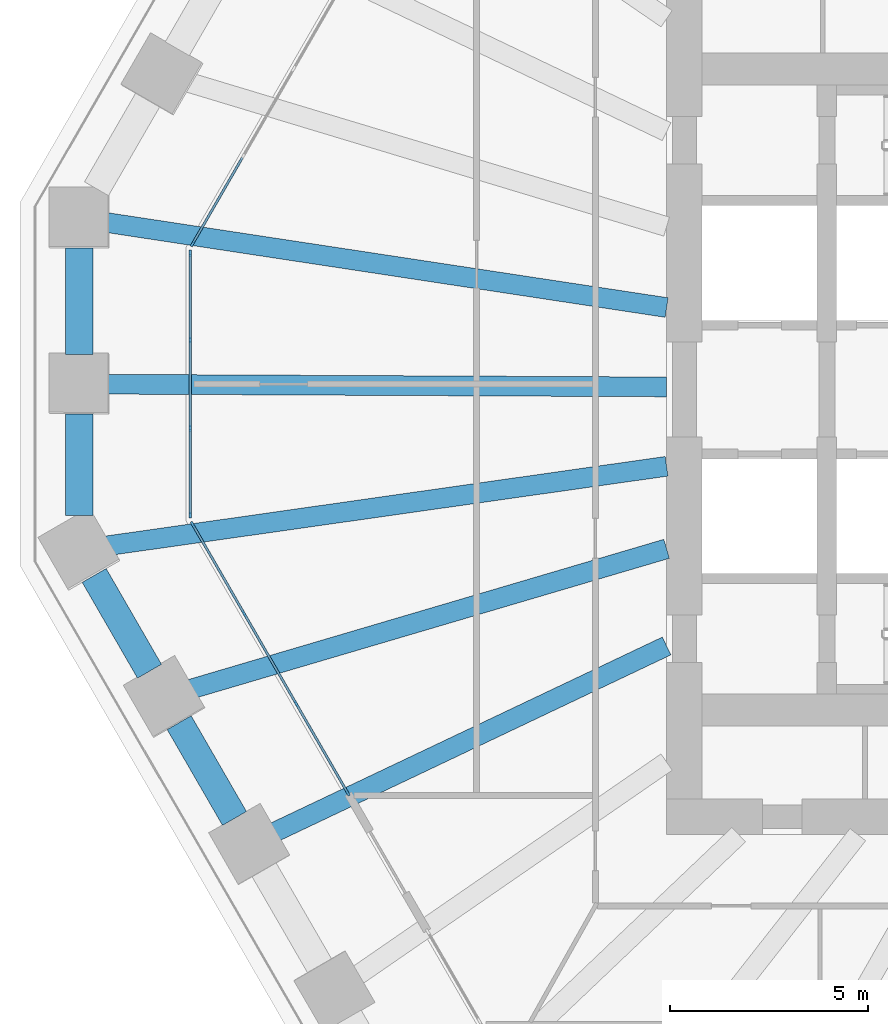
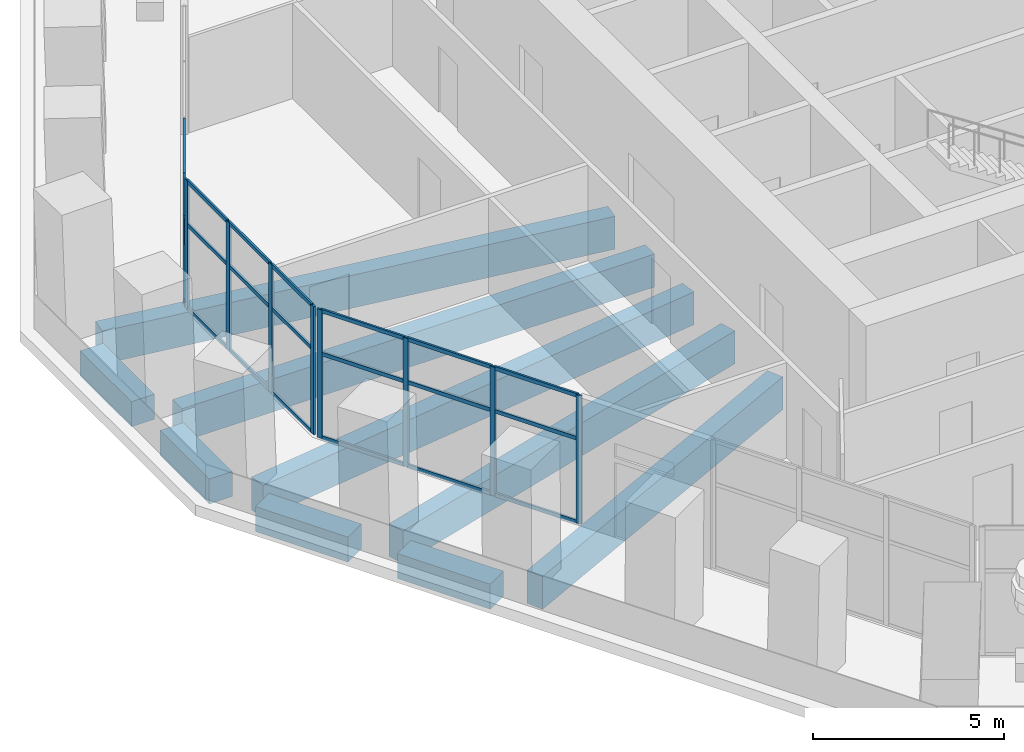
# One storey, part 3 of 18: 30 members, 9 beams, 3 elements without a shape of their own.
"""IFC4 building model written with IfcOpenShell, lengths in metres."""

from ifc_helpers import new_model, si_unit, direction, frame, origin, origin_2d, place, context, subcontext, project, spatial, rectangle, extrude, material, material_profile, profile_set, type_object, element, aggregate, save


model = new_model("IFC4")

# Units and contexts
model_context = context("Model", 3, precision=1e-05, world=origin(), true_north=direction((0.0, 1.0)))
body_context = subcontext(model_context, "Body", "Model", "MODEL_VIEW")
ifc_project = project(units=[si_unit("LENGTHUNIT", "METRE"), si_unit("AREAUNIT", "SQUARE_METRE"), si_unit("VOLUMEUNIT", "CUBIC_METRE"), si_unit("PLANEANGLEUNIT", "RADIAN"), si_unit("MASSUNIT", "GRAM", prefix="KILO")], contexts=[model_context])

# Site, building, storey
site_placement = place(None, origin())
site = spatial("IfcSite", under=ifc_project, at=site_placement, CompositionType="ELEMENT")
building_placement = place(site_placement, origin())
building = spatial("IfcBuilding", under=site, at=building_placement, Name="Frailejon Research Tower", CompositionType="ELEMENT")
storey_placement = place(building_placement, frame((0.0, 0.0, 19.0)))
storey = spatial("IfcBuildingStorey", under=building, at=storey_placement, Name="L04", CompositionType="ELEMENT", Elevation=19.0)

# Curtain wall, member
ifc_material_1 = material(Name="Aluminium curtain wall", Category="aluminium")
curtain_wall_type = type_object("IfcCurtainWallType", Name="Base zone unitised curtain wall system", PredefinedType="NOTDEFINED", material=ifc_material_1)
curtain_wall_1_placement = place(storey_placement, origin())
curtain_wall_1 = element("IfcCurtainWall", 1, at=curtain_wall_1_placement, inside=storey, type_object=curtain_wall_type, Name="Curtain wall L04", PredefinedType="NOTDEFINED")
ifc_material_2 = material(Name="Aluminium extrusion", Category="aluminium")
ifc_material_profile_1 = material_profile(ifc_material_2, rectangle(XDim=0.06005859375, YDim=0.159912109375, at=origin_2d()), Name="Base zone unitised curtain wall mullion 60x160")
ifc_profile_set_1 = profile_set([ifc_material_profile_1], Name="Aluminium extrusion")
member_type_1 = type_object("IfcMemberType", Name="Base zone unitised curtain wall mullion 60x160", PredefinedType="MULLION", material=ifc_profile_set_1)
member_1_placement = place(storey_placement, frame((-25.627685546875, 3.688232421875, 0.0), z_axis=(0.0, 0.0, 1.0), x_axis=(0.866024676356, -0.50000125994, 0.0)))
member_1 = element("IfcMember", 2, at=member_1_placement, type_object=member_type_1, Name="CW3-071 mullion 4", PredefinedType="MULLION", context=body_context, shape_type="SweptSolid", body=[
    extrude(rectangle(XDim=0.06005859375, YDim=0.159912109375, at=origin_2d()), origin(), (0.0, 0.0, 1.0), 4.10009765625),
])

# Curtain wall, members
curtain_wall_2_placement = place(storey_placement, origin())
curtain_wall_2 = element("IfcCurtainWall", 3, at=curtain_wall_2_placement, inside=storey, type_object=curtain_wall_type, Name="Curtain wall L04", PredefinedType="NOTDEFINED")
member_2_placement = place(storey_placement, frame((-25.692626953125, 3.445556640625, 0.0), z_axis=(0.0, 0.0, 1.0), x_axis=(1.0, 0.0, 0.0)))
member_2 = element("IfcMember", 4, at=member_2_placement, type_object=member_type_1, Name="CW3-072 mullion 1", PredefinedType="MULLION", context=body_context, shape_type="SweptSolid", body=[
    extrude(rectangle(XDim=0.06005859375, YDim=0.159912109375, at=origin_2d()), origin(), (0.0, 0.0, 1.0), 4.10009765625),
])
member_3_placement = place(storey_placement, frame((-25.692626953125, 1.250732421875, 0.0), z_axis=(0.0, 0.0, 1.0), x_axis=(1.0, 0.0, 0.0)))
member_3 = element("IfcMember", 5, at=member_3_placement, type_object=member_type_1, Name="CW3-072 mullion 2", PredefinedType="MULLION", context=body_context, shape_type="SweptSolid", body=[
    extrude(rectangle(XDim=0.06005859375, YDim=0.159912109375, at=origin_2d()), origin(), (0.0, 0.0, 1.0), 4.10009765625),
])
member_4_placement = place(storey_placement, frame((-25.692626953125, -0.97412109375, 0.0), z_axis=(0.0, 0.0, 1.0), x_axis=(1.0, 0.0, 0.0)))
member_4 = element("IfcMember", 6, at=member_4_placement, type_object=member_type_1, Name="CW3-072 mullion 3", PredefinedType="MULLION", context=body_context, shape_type="SweptSolid", body=[
    extrude(rectangle(XDim=0.06005859375, YDim=0.159912109375, at=origin_2d()), origin(), (0.0, 0.0, 1.0), 4.10009765625),
])
member_5_placement = place(storey_placement, frame((-25.692626953125, -3.1689453125, 0.0), z_axis=(0.0, 0.0, 1.0), x_axis=(1.0, 0.0, 0.0)))
member_5 = element("IfcMember", 7, at=member_5_placement, type_object=member_type_1, Name="CW3-072 mullion 4", PredefinedType="MULLION", context=body_context, shape_type="SweptSolid", body=[
    extrude(rectangle(XDim=0.06005859375, YDim=0.159912109375, at=origin_2d()), origin(), (0.0, 0.0, 1.0), 4.10009765625),
])

curtain_wall_3_placement = place(storey_placement, origin())
curtain_wall_3 = element("IfcCurtainWall", 8, at=curtain_wall_3_placement, inside=storey, type_object=curtain_wall_type, Name="Curtain wall L04", PredefinedType="NOTDEFINED")
member_6_placement = place(storey_placement, frame((-25.627685546875, -3.41162109375, 0.0), z_axis=(0.0, 0.0, 1.0), x_axis=(0.866026896805, 0.499997414004, 0.0)))
member_6 = element("IfcMember", 9, at=member_6_placement, type_object=member_type_1, Name="CW3-073 mullion 1", PredefinedType="MULLION", context=body_context, shape_type="SweptSolid", body=[
    extrude(rectangle(XDim=0.06005859375, YDim=0.159912109375, at=origin_2d()), origin(), (0.0, 0.0, 1.0), 4.10009765625),
])
member_7_placement = place(storey_placement, frame((-24.327392578125, -5.66357421875, 0.0), z_axis=(0.0, 0.0, 1.0), x_axis=(0.866026896805, 0.499997414004, 0.0)))
member_7 = element("IfcMember", 10, at=member_7_placement, type_object=member_type_1, Name="CW3-073 mullion 2", PredefinedType="MULLION", context=body_context, shape_type="SweptSolid", body=[
    extrude(rectangle(XDim=0.06005859375, YDim=0.159912109375, at=origin_2d()), origin(), (0.0, 0.0, 1.0), 4.10009765625),
])
member_8_placement = place(storey_placement, frame((-23.01220703125, -7.941650390625, 0.0), z_axis=(0.0, 0.0, 1.0), x_axis=(0.866026896805, 0.499997414004, 0.0)))
member_8 = element("IfcMember", 11, at=member_8_placement, type_object=member_type_1, Name="CW3-073 mullion 3", PredefinedType="MULLION", context=body_context, shape_type="SweptSolid", body=[
    extrude(rectangle(XDim=0.06005859375, YDim=0.159912109375, at=origin_2d()), origin(), (0.0, 0.0, 1.0), 4.10009765625),
])
member_9_placement = place(storey_placement, frame((-21.7119140625, -10.19384765625, 0.0), z_axis=(0.0, 0.0, 1.0), x_axis=(0.866026896805, 0.499997414004, 0.0)))
member_9 = element("IfcMember", 12, at=member_9_placement, type_object=member_type_1, Name="CW3-073 mullion 4", PredefinedType="MULLION", context=body_context, shape_type="SweptSolid", body=[
    extrude(rectangle(XDim=0.06005859375, YDim=0.159912109375, at=origin_2d()), origin(), (0.0, 0.0, 1.0), 4.10009765625),
])

# Member
ifc_material_3 = material(Name="Aluminium extrusion", Category="aluminium")
ifc_material_profile_2 = material_profile(ifc_material_3, rectangle(XDim=0.06005859375, YDim=0.1201171875, at=origin_2d()), Name="Base zone unitised curtain wall transom 60x120")
ifc_profile_set_2 = profile_set([ifc_material_profile_2], Name="Aluminium extrusion")
member_type_2 = type_object("IfcMemberType", Name="Base zone unitised curtain wall transom 60x120", PredefinedType="USERDEFINED", material=ifc_profile_set_2)
member_10_placement = place(storey_placement, frame((-24.374267578125, 5.85888671875, 0.030029296875), z_axis=(-0.499998364937, -0.866026347786, 0.0), x_axis=(0.866026347786, -0.499998364937, 0.0)))
member_10 = element("IfcMember", 13, at=member_10_placement, type_object=member_type_2, Name="CW3-071 transom 3.1", ObjectType="TRANSOM", PredefinedType="USERDEFINED", context=body_context, shape_type="SweptSolid", body=[
    extrude(rectangle(XDim=0.06005859375, YDim=0.1201171875, at=origin_2d()), origin(), (0.0, 0.0, 1.0), 2.4765625),
])

member_11_placement = place(storey_placement, frame((-24.374267578125, 5.85888671875, 2.699951171875), z_axis=(-0.499998364937, -0.866026347786, 0.0), x_axis=(0.866026347786, -0.499998364937, 0.0)))
member_11 = element("IfcMember", 14, at=member_11_placement, type_object=member_type_2, Name="CW3-071 transom 3.2", ObjectType="TRANSOM", PredefinedType="USERDEFINED", context=body_context, shape_type="SweptSolid", body=[
    extrude(rectangle(XDim=0.06005859375, YDim=0.1201171875, at=origin_2d()), origin(), (0.0, 0.0, 1.0), 2.4765625),
])

member_12_placement = place(storey_placement, frame((-24.374267578125, 5.85888671875, 4.070068359375), z_axis=(-0.499998364937, -0.866026347786, 0.0), x_axis=(0.866026347786, -0.499998364937, 0.0)))
member_12 = element("IfcMember", 15, at=member_12_placement, type_object=member_type_2, Name="CW3-071 transom 3.3", ObjectType="TRANSOM", PredefinedType="USERDEFINED", context=body_context, shape_type="SweptSolid", body=[
    extrude(rectangle(XDim=0.06005859375, YDim=0.1201171875, at=origin_2d()), origin(), (0.0, 0.0, 1.0), 2.4765625),
])

aggregate(curtain_wall_1, [member_1, member_10, member_11, member_12])

member_13_placement = place(storey_placement, frame((-25.692626953125, 3.41552734375, 0.030029296875), z_axis=(0.0, -1.0, 0.0), x_axis=(1.0, 0.0, 0.0)))
member_13 = element("IfcMember", 16, at=member_13_placement, type_object=member_type_2, Name="CW3-072 transom 1.1", ObjectType="TRANSOM", PredefinedType="USERDEFINED", context=body_context, shape_type="SweptSolid", body=[
    extrude(rectangle(XDim=0.06005859375, YDim=0.1201171875, at=origin_2d()), origin(), (0.0, 0.0, 1.0), 2.134765625),
])

member_14_placement = place(storey_placement, frame((-25.692626953125, 3.41552734375, 2.699951171875), z_axis=(0.0, -1.0, 0.0), x_axis=(1.0, 0.0, 0.0)))
member_14 = element("IfcMember", 17, at=member_14_placement, type_object=member_type_2, Name="CW3-072 transom 1.2", ObjectType="TRANSOM", PredefinedType="USERDEFINED", context=body_context, shape_type="SweptSolid", body=[
    extrude(rectangle(XDim=0.06005859375, YDim=0.1201171875, at=origin_2d()), origin(), (0.0, 0.0, 1.0), 2.134765625),
])

member_15_placement = place(storey_placement, frame((-25.692626953125, 3.41552734375, 4.070068359375), z_axis=(0.0, -1.0, 0.0), x_axis=(1.0, 0.0, 0.0)))
member_15 = element("IfcMember", 18, at=member_15_placement, type_object=member_type_2, Name="CW3-072 transom 1.3", ObjectType="TRANSOM", PredefinedType="USERDEFINED", context=body_context, shape_type="SweptSolid", body=[
    extrude(rectangle(XDim=0.06005859375, YDim=0.1201171875, at=origin_2d()), origin(), (0.0, 0.0, 1.0), 2.134765625),
])

member_16_placement = place(storey_placement, frame((-25.692626953125, 1.220703125, 0.030029296875), z_axis=(0.0, -1.0, 0.0), x_axis=(1.0, 0.0, 0.0)))
member_16 = element("IfcMember", 19, at=member_16_placement, type_object=member_type_2, Name="CW3-072 transom 2.1", ObjectType="TRANSOM", PredefinedType="USERDEFINED", context=body_context, shape_type="SweptSolid", body=[
    extrude(rectangle(XDim=0.06005859375, YDim=0.1201171875, at=origin_2d()), origin(), (0.0, 0.0, 1.0), 2.164794921875),
])

member_17_placement = place(storey_placement, frame((-25.692626953125, 1.220703125, 2.699951171875), z_axis=(0.0, -1.0, 0.0), x_axis=(1.0, 0.0, 0.0)))
member_17 = element("IfcMember", 20, at=member_17_placement, type_object=member_type_2, Name="CW3-072 transom 2.2", ObjectType="TRANSOM", PredefinedType="USERDEFINED", context=body_context, shape_type="SweptSolid", body=[
    extrude(rectangle(XDim=0.06005859375, YDim=0.1201171875, at=origin_2d()), origin(), (0.0, 0.0, 1.0), 2.164794921875),
])

member_18_placement = place(storey_placement, frame((-25.692626953125, 1.220703125, 4.070068359375), z_axis=(0.0, -1.0, 0.0), x_axis=(1.0, 0.0, 0.0)))
member_18 = element("IfcMember", 21, at=member_18_placement, type_object=member_type_2, Name="CW3-072 transom 2.3", ObjectType="TRANSOM", PredefinedType="USERDEFINED", context=body_context, shape_type="SweptSolid", body=[
    extrude(rectangle(XDim=0.06005859375, YDim=0.1201171875, at=origin_2d()), origin(), (0.0, 0.0, 1.0), 2.164794921875),
])

member_19_placement = place(storey_placement, frame((-25.692626953125, -1.004150390625, 0.030029296875), z_axis=(0.0, -1.0, 0.0), x_axis=(1.0, 0.0, 0.0)))
member_19 = element("IfcMember", 22, at=member_19_placement, type_object=member_type_2, Name="CW3-072 transom 3.1", ObjectType="TRANSOM", PredefinedType="USERDEFINED", context=body_context, shape_type="SweptSolid", body=[
    extrude(rectangle(XDim=0.06005859375, YDim=0.1201171875, at=origin_2d()), origin(), (0.0, 0.0, 1.0), 2.134765625),
])

member_20_placement = place(storey_placement, frame((-25.692626953125, -1.004150390625, 2.699951171875), z_axis=(0.0, -1.0, 0.0), x_axis=(1.0, 0.0, 0.0)))
member_20 = element("IfcMember", 23, at=member_20_placement, type_object=member_type_2, Name="CW3-072 transom 3.2", ObjectType="TRANSOM", PredefinedType="USERDEFINED", context=body_context, shape_type="SweptSolid", body=[
    extrude(rectangle(XDim=0.06005859375, YDim=0.1201171875, at=origin_2d()), origin(), (0.0, 0.0, 1.0), 2.134765625),
])

member_21_placement = place(storey_placement, frame((-25.692626953125, -1.004150390625, 4.070068359375), z_axis=(0.0, -1.0, 0.0), x_axis=(1.0, 0.0, 0.0)))
member_21 = element("IfcMember", 24, at=member_21_placement, type_object=member_type_2, Name="CW3-072 transom 3.3", ObjectType="TRANSOM", PredefinedType="USERDEFINED", context=body_context, shape_type="SweptSolid", body=[
    extrude(rectangle(XDim=0.06005859375, YDim=0.1201171875, at=origin_2d()), origin(), (0.0, 0.0, 1.0), 2.134765625),
])

aggregate(curtain_wall_2, [member_2, member_3, member_4, member_5, member_13, member_14, member_15, member_16, member_17, member_18, member_19, member_20, member_21])

member_22_placement = place(storey_placement, frame((-25.612548828125, -3.4375, 0.030029296875), z_axis=(0.499994189038, -0.866028758719, 0.0), x_axis=(0.866028758719, 0.499994189038, 0.0)))
member_22 = element("IfcMember", 25, at=member_22_placement, type_object=member_type_2, Name="CW3-073 transom 1.1", ObjectType="TRANSOM", PredefinedType="USERDEFINED", context=body_context, shape_type="SweptSolid", body=[
    extrude(rectangle(XDim=0.06005859375, YDim=0.1201171875, at=origin_2d()), origin(), (0.0, 0.0, 1.0), 2.54052734375),
])

member_23_placement = place(storey_placement, frame((-25.612548828125, -3.4375, 2.699951171875), z_axis=(0.499994189038, -0.866028758719, 0.0), x_axis=(0.866028758719, 0.499994189038, 0.0)))
member_23 = element("IfcMember", 26, at=member_23_placement, type_object=member_type_2, Name="CW3-073 transom 1.2", ObjectType="TRANSOM", PredefinedType="USERDEFINED", context=body_context, shape_type="SweptSolid", body=[
    extrude(rectangle(XDim=0.06005859375, YDim=0.1201171875, at=origin_2d()), origin(), (0.0, 0.0, 1.0), 2.54052734375),
])

member_24_placement = place(storey_placement, frame((-25.612548828125, -3.4375, 4.070068359375), z_axis=(0.499994189038, -0.866028758719, 0.0), x_axis=(0.866028758719, 0.499994189038, 0.0)))
member_24 = element("IfcMember", 27, at=member_24_placement, type_object=member_type_2, Name="CW3-073 transom 1.3", ObjectType="TRANSOM", PredefinedType="USERDEFINED", context=body_context, shape_type="SweptSolid", body=[
    extrude(rectangle(XDim=0.06005859375, YDim=0.1201171875, at=origin_2d()), origin(), (0.0, 0.0, 1.0), 2.54052734375),
])

member_25_placement = place(storey_placement, frame((-24.312255859375, -5.689697265625, 0.030029296875), z_axis=(0.499980071345, -0.866036909293, 0.0), x_axis=(0.866036909293, 0.499980071345, 0.0)))
member_25 = element("IfcMember", 28, at=member_25_placement, type_object=member_type_2, Name="CW3-073 transom 2.1", ObjectType="TRANSOM", PredefinedType="USERDEFINED", context=body_context, shape_type="SweptSolid", body=[
    extrude(rectangle(XDim=0.06005859375, YDim=0.1201171875, at=origin_2d()), origin(), (0.0, 0.0, 1.0), 2.5703125),
])

member_26_placement = place(storey_placement, frame((-24.312255859375, -5.689697265625, 2.699951171875), z_axis=(0.499980071345, -0.866036909293, 0.0), x_axis=(0.866036909293, 0.499980071345, 0.0)))
member_26 = element("IfcMember", 29, at=member_26_placement, type_object=member_type_2, Name="CW3-073 transom 2.2", ObjectType="TRANSOM", PredefinedType="USERDEFINED", context=body_context, shape_type="SweptSolid", body=[
    extrude(rectangle(XDim=0.06005859375, YDim=0.1201171875, at=origin_2d()), origin(), (0.0, 0.0, 1.0), 2.5703125),
])

member_27_placement = place(storey_placement, frame((-24.312255859375, -5.689697265625, 4.070068359375), z_axis=(0.499980071345, -0.866036909293, 0.0), x_axis=(0.866036909293, 0.499980071345, 0.0)))
member_27 = element("IfcMember", 30, at=member_27_placement, type_object=member_type_2, Name="CW3-073 transom 2.3", ObjectType="TRANSOM", PredefinedType="USERDEFINED", context=body_context, shape_type="SweptSolid", body=[
    extrude(rectangle(XDim=0.06005859375, YDim=0.1201171875, at=origin_2d()), origin(), (0.0, 0.0, 1.0), 2.5703125),
])

member_28_placement = place(storey_placement, frame((-22.9970703125, -7.9677734375, 0.030029296875), z_axis=(0.500035802948, -0.866004731956, 0.0), x_axis=(0.866004731956, 0.500035802948, 0.0)))
member_28 = element("IfcMember", 31, at=member_28_placement, type_object=member_type_2, Name="CW3-073 transom 3.1", ObjectType="TRANSOM", PredefinedType="USERDEFINED", context=body_context, shape_type="SweptSolid", body=[
    extrude(rectangle(XDim=0.06005859375, YDim=0.1201171875, at=origin_2d()), origin(), (0.0, 0.0, 1.0), 2.540283203125),
])

member_29_placement = place(storey_placement, frame((-22.9970703125, -7.9677734375, 2.699951171875), z_axis=(0.500035802948, -0.866004731956, 0.0), x_axis=(0.866004731956, 0.500035802948, 0.0)))
member_29 = element("IfcMember", 32, at=member_29_placement, type_object=member_type_2, Name="CW3-073 transom 3.2", ObjectType="TRANSOM", PredefinedType="USERDEFINED", context=body_context, shape_type="SweptSolid", body=[
    extrude(rectangle(XDim=0.06005859375, YDim=0.1201171875, at=origin_2d()), origin(), (0.0, 0.0, 1.0), 2.540283203125),
])

member_30_placement = place(storey_placement, frame((-22.9970703125, -7.9677734375, 4.070068359375), z_axis=(0.500035802948, -0.866004731956, 0.0), x_axis=(0.866004731956, 0.500035802948, 0.0)))
member_30 = element("IfcMember", 33, at=member_30_placement, type_object=member_type_2, Name="CW3-073 transom 3.3", ObjectType="TRANSOM", PredefinedType="USERDEFINED", context=body_context, shape_type="SweptSolid", body=[
    extrude(rectangle(XDim=0.06005859375, YDim=0.1201171875, at=origin_2d()), origin(), (0.0, 0.0, 1.0), 2.540283203125),
])

aggregate(curtain_wall_3, [member_6, member_7, member_8, member_9, member_22, member_23, member_24, member_25, member_26, member_27, member_28, member_29, member_30])

# Beams
ifc_material_4 = material(Name="Concrete C60/75", Category="concrete")
ifc_material_profile_3 = material_profile(ifc_material_4, rectangle(XDim=0.5, YDim=1.050048828125, at=origin_2d()), Name="Girder 500x1050")
ifc_profile_set_3 = profile_set([ifc_material_profile_3], Name="Concrete C60/75")
beam_type_1 = type_object("IfcBeamType", Name="Girder 500x1050", PredefinedType="BEAM", material=ifc_profile_set_3)
beam_1_placement = place(storey_placement, frame((-27.890869140625, 4.234375, -0.824951171875), z_axis=(0.988672862633, -0.150086544009, 0.0), x_axis=(0.150086544009, 0.988672862633, 0.0)))
element("IfcBeam", 34, at=beam_1_placement, inside=storey, type_object=beam_type_1, Name="Girder 500x1050", PredefinedType="BEAM", context=body_context, shape_type="SweptSolid", body=[
    extrude(rectangle(XDim=0.5, YDim=1.050048828125, at=origin_2d()), origin(), (0.0, 0.0, 1.0), 14.404052734375),
])
beam_2_placement = place(storey_placement, frame((-27.892578125, 0.135498046875, -0.824951171875), z_axis=(0.999988233911, -0.00485098341, 0.0), x_axis=(0.00485098341, 0.999988233911, 0.0)))
element("IfcBeam", 35, at=beam_2_placement, inside=storey, type_object=beam_type_1, Name="Girder 500x1050", PredefinedType="BEAM", context=body_context, shape_type="SweptSolid", body=[
    extrude(rectangle(XDim=0.5, YDim=1.050048828125, at=origin_2d()), origin(), (0.0, 0.0, 1.0), 14.242919921875),
])
beam_3_placement = place(storey_placement, frame((-27.8408203125, -3.956787109375, -0.824951171875), z_axis=(0.990051093307, 0.140708324705, 0.0), x_axis=(-0.140708324705, 0.990051093307, 0.0)))
element("IfcBeam", 36, at=beam_3_placement, inside=storey, type_object=beam_type_1, Name="Girder 500x1050", PredefinedType="BEAM", context=body_context, shape_type="SweptSolid", body=[
    extrude(rectangle(XDim=0.5, YDim=1.050048828125, at=origin_2d()), origin(), (0.0, 0.0, 1.0), 14.33349609375),
])
beam_4_placement = place(storey_placement, frame((-25.74853515625, -7.59375, -0.824951171875), z_axis=(0.959157205215, 0.282873568372, 0.0), x_axis=(-0.282873568372, 0.959157205215, 0.0)))
element("IfcBeam", 37, at=beam_4_placement, inside=storey, type_object=beam_type_1, Name="Girder 500x1050", PredefinedType="BEAM", context=body_context, shape_type="SweptSolid", body=[
    extrude(rectangle(XDim=0.5, YDim=1.050048828125, at=origin_2d()), origin(), (0.0, 0.0, 1.0), 12.61376953125),
])
beam_5_placement = place(storey_placement, frame((-23.652587890625, -11.2314453125, -0.824951171875), z_axis=(0.903330689319, 0.42894482831, 0.0), x_axis=(-0.42894482831, 0.903330689319, 0.0)))
element("IfcBeam", 38, at=beam_5_placement, inside=storey, type_object=beam_type_1, Name="Girder 500x1050", PredefinedType="BEAM", context=body_context, shape_type="SweptSolid", body=[
    extrude(rectangle(XDim=0.5, YDim=1.050048828125, at=origin_2d()), origin(), (0.0, 0.0, 1.0), 11.072998046875),
])
ifc_material_5 = material(Name="Concrete C60/75", Category="concrete")
ifc_material_profile_4 = material_profile(ifc_material_5, rectangle(XDim=0.699951171875, YDim=0.800048828125, at=origin_2d()), Name="Spandrel 700x800")
ifc_profile_set_4 = profile_set([ifc_material_profile_4], Name="Concrete C60/75")
beam_type_2 = type_object("IfcBeamType", Name="Spandrel 700x800", PredefinedType="BEAM", material=ifc_profile_set_4)
beam_6_placement = place(storey_placement, frame((-28.49267578125, 3.57568359375, -0.75), z_axis=(0.0, -1.0, 0.0), x_axis=(1.0, 0.0, 0.0)))
element("IfcBeam", 39, at=beam_6_placement, inside=storey, type_object=beam_type_2, Name="Spandrel 700x800", PredefinedType="BEAM", context=body_context, shape_type="SweptSolid", body=[
    extrude(rectangle(XDim=0.699951171875, YDim=0.800048828125, at=origin_2d()), origin(), (0.0, 0.0, 1.0), 2.6875),
])
beam_7_placement = place(storey_placement, frame((-28.49267578125, -0.61181640625, -0.75), z_axis=(0.0, -1.0, 0.0), x_axis=(1.0, 0.0, 0.0)))
element("IfcBeam", 40, at=beam_7_placement, inside=storey, type_object=beam_type_2, Name="Spandrel 700x800", PredefinedType="BEAM", context=body_context, shape_type="SweptSolid", body=[
    extrude(rectangle(XDim=0.699951171875, YDim=0.800048828125, at=origin_2d()), origin(), (0.0, 0.0, 1.0), 2.571533203125),
])
beam_8_placement = place(storey_placement, frame((-28.11767578125, -4.69873046875, -0.75), z_axis=(0.49998952364, -0.866031452229, 0.0), x_axis=(0.866031452229, 0.49998952364, 0.0)))
element("IfcBeam", 41, at=beam_8_placement, inside=storey, type_object=beam_type_2, Name="Spandrel 700x800", PredefinedType="BEAM", context=body_context, shape_type="SweptSolid", body=[
    extrude(rectangle(XDim=0.699951171875, YDim=0.800048828125, at=origin_2d()), origin(), (0.0, 0.0, 1.0), 2.7958984375),
])
beam_9_placement = place(storey_placement, frame((-25.9697265625, -8.419189453125, -0.75), z_axis=(0.500027335801, -0.866009620877, 0.0), x_axis=(0.866009620877, 0.500027335801, 0.0)))
element("IfcBeam", 42, at=beam_9_placement, inside=storey, type_object=beam_type_2, Name="Spandrel 700x800", PredefinedType="BEAM", context=body_context, shape_type="SweptSolid", body=[
    extrude(rectangle(XDim=0.699951171875, YDim=0.800048828125, at=origin_2d()), origin(), (0.0, 0.0, 1.0), 2.795654296875),
])

save(model, "model.ifc")
